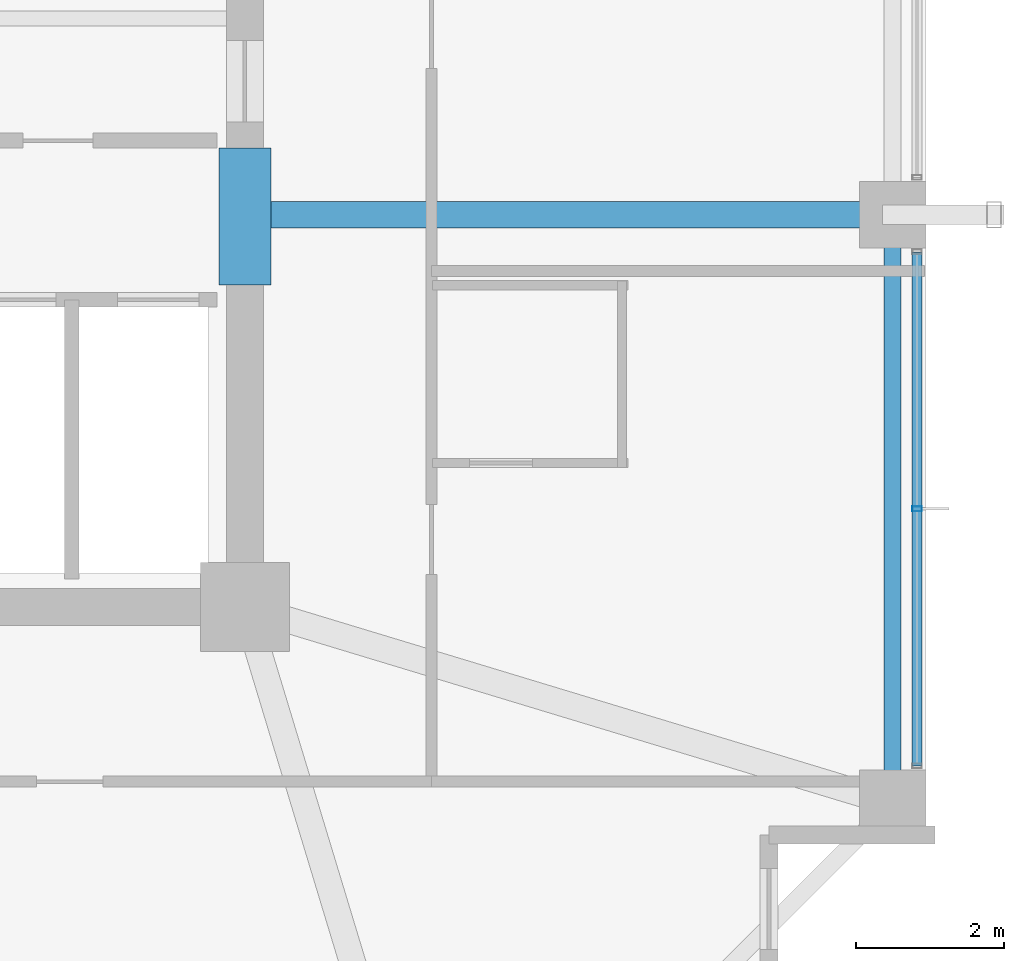
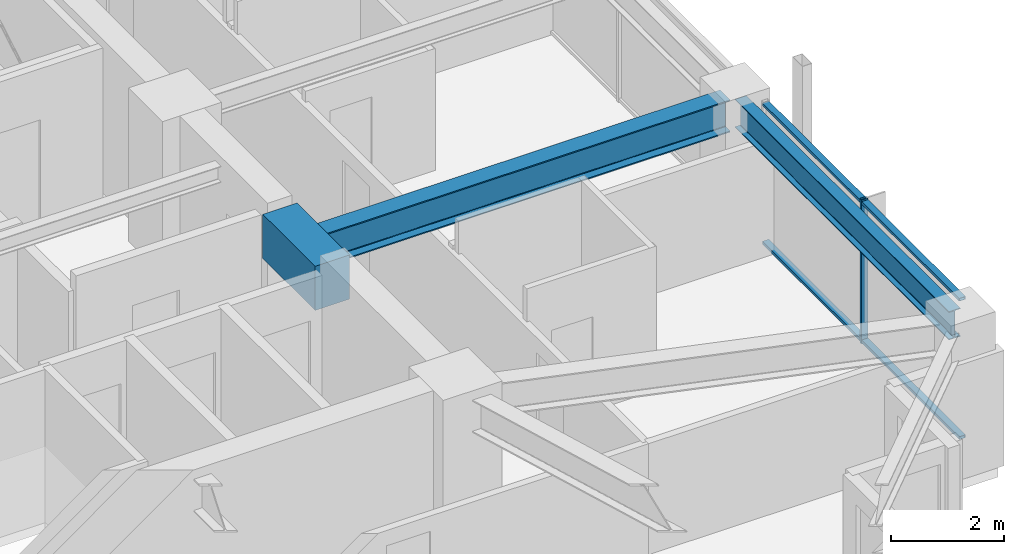
# One storey, part 13 of 34: 3 beams, 3 members, 1 element without a shape of its own.
"""IFC4 building model written with IfcOpenShell, lengths in metres."""

from ifc_helpers import new_model, si_unit, direction, frame, origin, origin_2d, place, context, subcontext, project, spatial, rectangle, hollow_rectangle, i_section, extrude, material, material_profile, profile_set, type_object, element, aggregate, save


model = new_model("IFC4")

# Units and contexts
model_context = context("Model", 3, precision=1e-05, world=origin(), true_north=direction((0.0, 1.0)))
body_context = subcontext(model_context, "Body", "Model", "MODEL_VIEW")
ifc_project = project(units=[si_unit("LENGTHUNIT", "METRE"), si_unit("AREAUNIT", "SQUARE_METRE"), si_unit("VOLUMEUNIT", "CUBIC_METRE"), si_unit("PLANEANGLEUNIT", "RADIAN"), si_unit("MASSUNIT", "GRAM", prefix="KILO")], contexts=[model_context])

# Site, building, storey
site_placement = place(None, origin())
site = spatial("IfcSite", under=ifc_project, at=site_placement, CompositionType="ELEMENT")
building_placement = place(site_placement, origin())
building = spatial("IfcBuilding", under=site, at=building_placement, Name="Kolvaren Belvedere", CompositionType="ELEMENT")
storey_placement = place(building_placement, frame((0.0, 0.0, 166.800048828125)))
storey = spatial("IfcBuildingStorey", under=building, at=storey_placement, Name="L48", CompositionType="ELEMENT", Elevation=166.800048828125)

# Beams
ifc_material_1 = material(Name="Structural steel ASTM A992 Grade 50", Category="steel")
ifc_material_profile_1 = material_profile(ifc_material_1, i_section(OverallWidth=0.35498046875, OverallDepth=0.696044921875, WebThickness=0.015380859375, FlangeThickness=0.02490234375, FilletRadius=0.02197265625, at=origin_2d()), Name="W27X146")
ifc_profile_set_1 = profile_set([ifc_material_profile_1], Name="Structural steel ASTM A992 Grade 50")
beam_type_1 = type_object("IfcBeamType", Name="BM-GIRD-W27X146", PredefinedType="BEAM", material=ifc_profile_set_1)
beam_1_placement = place(storey_placement, frame((10.14990234375, -4.60009765625, 2.751953125), z_axis=(1.0, 0.0, 0.0), x_axis=(0.0, 1.0, 0.0)))
element("IfcBeam", 1, at=beam_1_placement, inside=storey, type_object=beam_type_1, Name="L48 East Radial Girder M", PredefinedType="BEAM", context=body_context, shape_type="SweptSolid", body=[
    extrude(i_section(OverallWidth=0.35498046875, OverallDepth=0.696044921875, WebThickness=0.015380859375, FlangeThickness=0.02490234375, FilletRadius=0.02197265625, at=origin_2d()), origin(), (0.0, 0.0, 1.0), 8.297607421875),
])
ifc_material_2 = material(Name="Concrete C60/75", Category="concrete")
ifc_material_profile_2 = material_profile(ifc_material_2, rectangle(XDim=0.699951171875, YDim=0.949951171875, at=origin_2d()), Name="RC 700X950")
ifc_profile_set_2 = profile_set([ifc_material_profile_2], Name="Concrete C60/75")
beam_type_2 = type_object("IfcBeamType", Name="BM-LINT-950", PredefinedType="LINTEL", material=ifc_profile_set_2)
beam_2_placement = place(storey_placement, frame((9.89990234375, -5.550048828125, 2.625), z_axis=(0.0, 1.0, 0.0), x_axis=(-1.0, 0.0, 0.0)))
element("IfcBeam", 2, at=beam_2_placement, inside=storey, type_object=beam_type_2, Name="L48 East Core Coupling Lintel", PredefinedType="LINTEL", context=body_context, shape_type="SweptSolid", body=[
    extrude(rectangle(XDim=0.699951171875, YDim=0.949951171875, at=origin_2d()), origin(), (0.0, 0.0, 1.0), 1.85009765625),
])
ifc_material_3 = material(Name="Structural steel ASTM A992 Grade 50", Category="steel")
ifc_material_profile_3 = material_profile(ifc_material_3, i_section(OverallWidth=0.22900390625, OverallDepth=0.612060546875, WebThickness=0.011962890625, FlangeThickness=0.01953125, FilletRadius=0.01806640625, at=origin_2d()), Name="W24X84")
ifc_profile_set_3 = profile_set([ifc_material_profile_3], Name="Structural steel ASTM A992 Grade 50")
beam_type_3 = type_object("IfcBeamType", Name="BM-SPAN-W24X84", PredefinedType="SPANDREL", material=ifc_profile_set_3)
beam_3_placement = place(storey_placement, frame((18.64990234375, -12.347412109375, 2.7939453125), z_axis=(0.0, 1.0, 0.0), x_axis=(-1.0, 0.0, 0.0)))
element("IfcBeam", 3, at=beam_3_placement, inside=storey, type_object=beam_type_3, Name="L48 Perimeter Spandrel E1-E2", PredefinedType="SPANDREL", context=body_context, shape_type="SweptSolid", body=[
    extrude(i_section(OverallWidth=0.22900390625, OverallDepth=0.612060546875, WebThickness=0.011962890625, FlangeThickness=0.01953125, FilletRadius=0.01806640625, at=origin_2d()), origin(), (0.0, 0.0, 1.0), 7.544921875),
])

# Curtain wall, members
ifc_material_4 = material(Name="Anodised pale-metal aluminium AA 6063-T6", Category="aluminium")
curtain_wall_type = type_object("IfcCurtainWallType", Name="CW-Z3-WAIST", PredefinedType="NOTDEFINED", material=ifc_material_4)
curtain_wall_placement = place(storey_placement, origin())
curtain_wall = element("IfcCurtainWall", 4, at=curtain_wall_placement, inside=storey, type_object=curtain_wall_type, Name="L48 Unitised Curtain Wall FCW-L48-E-B3", PredefinedType="NOTDEFINED")
ifc_material_5 = material(Name="Anodised pale-metal aluminium AA 6063-T6", Category="aluminium")
ifc_material_profile_4 = material_profile(ifc_material_5, hollow_rectangle(XDim=0.06494140625, YDim=0.1298828125, WallThickness=0.00390625, at=origin_2d()), Name="ALU-MUL-130X65")
ifc_profile_set_4 = profile_set([ifc_material_profile_4], Name="Anodised pale-metal aluminium AA 6063-T6")
member_type_1 = type_object("IfcMemberType", Name="CW-MUL-130", PredefinedType="MULLION", material=ifc_profile_set_4)
member_1_placement = place(storey_placement, frame((18.97998046875, -8.574951171875, 0.0), z_axis=(0.0, 0.0, 1.0), x_axis=(0.0, 1.0, 0.0)))
member_1 = element("IfcMember", 5, at=member_1_placement, type_object=member_type_1, Name="FCW-L48-E-B3 Unitised Mullion 2", PredefinedType="MULLION", context=body_context, shape_type="SweptSolid", body=[
    extrude(hollow_rectangle(XDim=0.06494140625, YDim=0.1298828125, WallThickness=0.00390625, at=origin_2d()), origin(), (0.0, 0.0, 1.0), 3.099853515625),
])
ifc_material_6 = material(Name="Anodised pale-metal aluminium AA 6063-T6", Category="aluminium")
ifc_material_profile_5 = material_profile(ifc_material_6, hollow_rectangle(XDim=0.06005859375, YDim=0.1298828125, WallThickness=0.00390625, at=origin_2d()), Name="ALU-TRN-130X60")
ifc_profile_set_5 = profile_set([ifc_material_profile_5], Name="Anodised pale-metal aluminium AA 6063-T6")
member_type_2 = type_object("IfcMemberType", Name="CW-TRN-130", PredefinedType="USERDEFINED", material=ifc_profile_set_5)
member_2_placement = place(storey_placement, frame((18.97998046875, -5.1025390625, 0.06005859375), z_axis=(0.0, -1.0, 0.0), x_axis=(0.0, 0.0, 1.0)))
member_2 = element("IfcMember", 6, at=member_2_placement, type_object=member_type_2, Name="FCW-L48-E-B3 Sill Transom", ObjectType="TRANSOM", PredefinedType="USERDEFINED", context=body_context, shape_type="SweptSolid", body=[
    extrude(hollow_rectangle(XDim=0.06005859375, YDim=0.1298828125, WallThickness=0.00390625, at=origin_2d()), origin(), (0.0, 0.0, 1.0), 6.945068359375),
])
member_3_placement = place(storey_placement, frame((18.97998046875, -5.1025390625, 3.0400390625), z_axis=(0.0, -1.0, 0.0), x_axis=(0.0, 0.0, 1.0)))
member_3 = element("IfcMember", 7, at=member_3_placement, type_object=member_type_2, Name="FCW-L48-E-B3 Head Transom", ObjectType="TRANSOM", PredefinedType="USERDEFINED", context=body_context, shape_type="SweptSolid", body=[
    extrude(hollow_rectangle(XDim=0.06005859375, YDim=0.1298828125, WallThickness=0.00390625, at=origin_2d()), origin(), (0.0, 0.0, 1.0), 6.945068359375),
])
aggregate(curtain_wall, [member_1, member_2, member_3])

save(model, "model.ifc")
